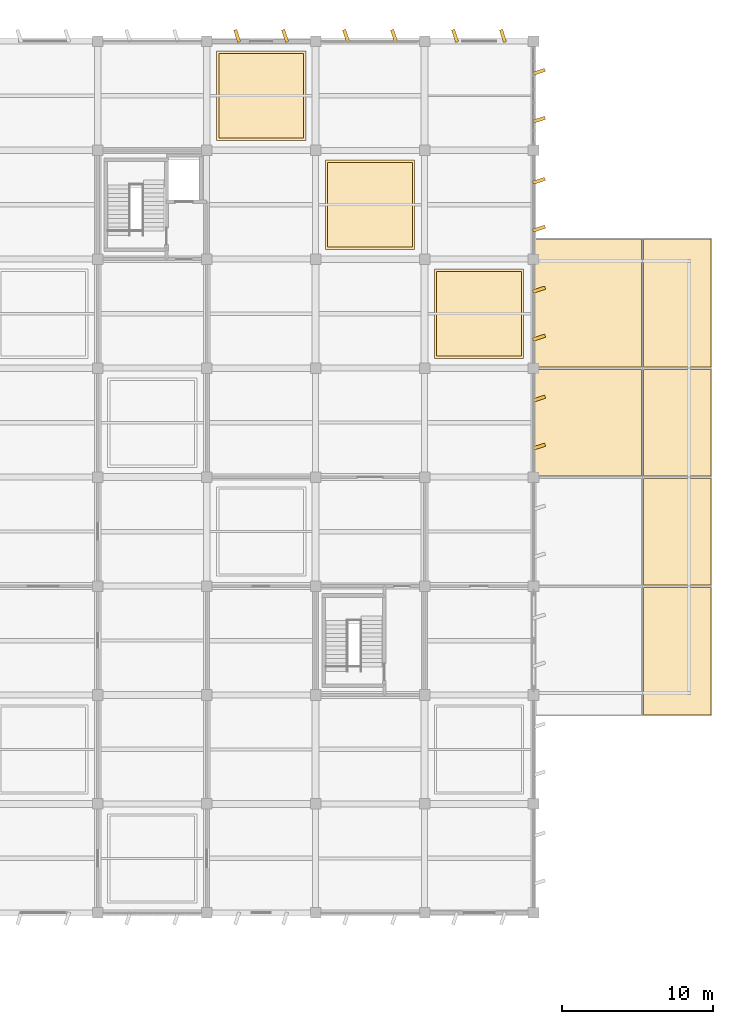
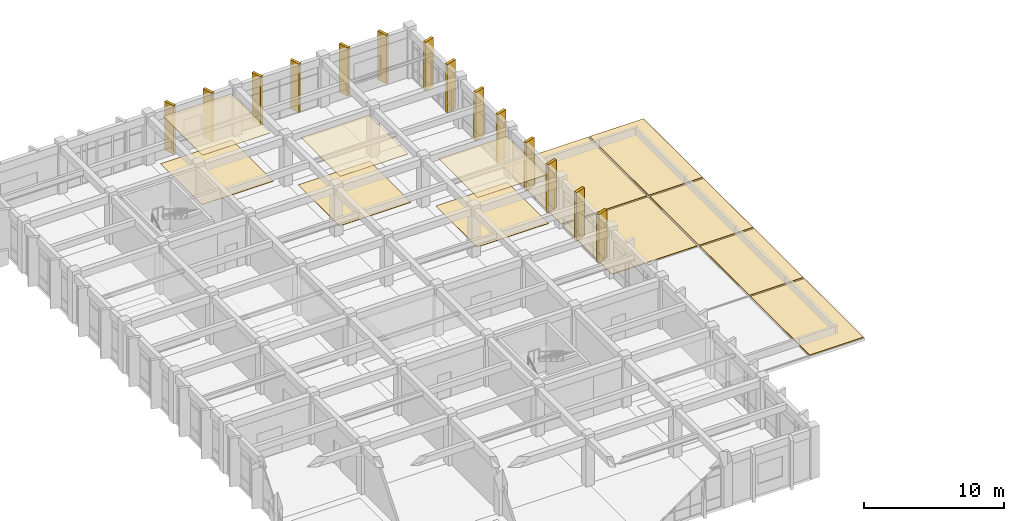
# One storey, part 81 of 81: 26 coverings.
"""IFC4 building model written with IfcOpenShell, lengths in metres."""

from ifc_helpers import new_model, si_unit, direction, frame, origin, origin_2d, place, context, subcontext, project, spatial, polyline, rectangle, outline, extrude, material, layer, layer_set, type_object, element, save


model = new_model("IFC4")

# Units and contexts
model_context = context("Model", 3, precision=1e-05, world=origin(), true_north=direction((0.0, 1.0)))
body_context = subcontext(model_context, "Body", "Model", "MODEL_VIEW")
ifc_project = project(units=[si_unit("LENGTHUNIT", "METRE"), si_unit("AREAUNIT", "SQUARE_METRE"), si_unit("VOLUMEUNIT", "CUBIC_METRE"), si_unit("PLANEANGLEUNIT", "RADIAN"), si_unit("MASSUNIT", "GRAM", prefix="KILO")], contexts=[model_context])

# Site, building, storey
site_placement = place(None, origin())
site = spatial("IfcSite", under=ifc_project, at=site_placement, CompositionType="ELEMENT")
building_placement = place(site_placement, origin())
building = spatial("IfcBuilding", under=site, at=building_placement, Name="Kavelor Marine Aquarium", CompositionType="ELEMENT")
storey_placement = place(building_placement, frame((0.0, 0.0, 4.679931640625)))
storey = spatial("IfcBuildingStorey", under=building, at=storey_placement, Name="L01", CompositionType="ELEMENT", Elevation=4.679931640625)

# Coverings
ifc_material_1 = material(Name="Moisture-Resistant Acoustic Mineral-Fibre Ceiling")
ifc_layer_1 = layer(ifc_material_1, 0.0400390625)
ifc_layer_set_1 = layer_set([ifc_layer_1], Name="COV-CE1")
covering_type_1 = type_object("IfcCoveringType", Name="COV-CE1", PredefinedType="CEILING", material=ifc_layer_set_1)
covering_1_placement = place(storey_placement, frame((0.0, 0.0, 4.16015625)))
element("IfcCovering", 1, at=covering_1_placement, inside=storey, type_object=covering_type_1, Name="ceil:L01:18_14", PredefinedType="CEILING", context=body_context, shape_type="SweptSolid", body=[
    extrude(outline(polyline([(133.60009765625, 104.39990234375), (139.199951171875, 104.39990234375), (139.199951171875, 110.0), (133.60009765625, 110.0), (133.60009765625, 104.39990234375)])), origin(), (0.0, 0.0, 1.0), 0.039794921875),
])
covering_2_placement = place(storey_placement, frame((0.0, 0.0, 4.16015625)))
element("IfcCovering", 2, at=covering_2_placement, inside=storey, type_object=covering_type_1, Name="ceil:L01:19_13", PredefinedType="CEILING", context=body_context, shape_type="SweptSolid", body=[
    extrude(outline(polyline([(140.800048828125, 97.199951171875), (146.39990234375, 97.199951171875), (146.39990234375, 102.800048828125), (140.800048828125, 102.800048828125), (140.800048828125, 97.199951171875)])), origin(), (0.0, 0.0, 1.0), 0.039794921875),
])
covering_3_placement = place(storey_placement, frame((0.0, 0.0, 4.16015625)))
element("IfcCovering", 3, at=covering_3_placement, inside=storey, type_object=covering_type_1, Name="ceil:L01:20_12", PredefinedType="CEILING", context=body_context, shape_type="SweptSolid", body=[
    extrude(outline(polyline([(148.0, 90.0), (153.60009765625, 90.0), (153.60009765625, 95.60009765625), (148.0, 95.60009765625), (148.0, 90.0)])), origin(), (0.0, 0.0, 1.0), 0.039794921875),
])
ifc_material_2 = material(Name="Precast Concrete C45/55 Coastal Brise-Soleil Fin", Category="concrete")
ifc_layer_2 = layer(ifc_material_2, 0.219970703125)
ifc_layer_set_2 = layer_set([ifc_layer_2], Name="COV-CL1")
covering_type_2 = type_object("IfcCoveringType", Name="COV-CL1", PredefinedType="CLADDING", material=ifc_layer_set_2)
for number, where, z_axis, x_axis, name in (
    (4, (154.760009765625, 84.01611328125, 0.0), (0.0, 0.0, 1.0), (0.951056516295, 0.309016994375, 0.0), "fin:y:L01:21_11:0"),
    (5, (154.760009765625, 87.18408203125, 0.0), (0.0, 0.0, 1.0), (0.951056516295, 0.309016994375, 0.0), "fin:y:L01:21_11:1"),
    (6, (154.760009765625, 91.216064453125, 0.0), (0.0, 0.0, 1.0), (0.951056516295, 0.309016994375, 0.0), "fin:y:L01:21_12:0"),
    (7, (154.760009765625, 94.384033203125, 0.0), (0.0, 0.0, 1.0), (0.951056516295, 0.309016994375, 0.0), "fin:y:L01:21_12:1"),
    (8, (154.760009765625, 98.416015625, 0.0), (0.0, 0.0, 1.0), (0.951056516295, 0.309016994375, 0.0), "fin:y:L01:21_13:0"),
    (9, (154.760009765625, 101.583984375, 0.0), (0.0, 0.0, 1.0), (0.951056516295, 0.309016994375, 0.0), "fin:y:L01:21_13:1"),
    (10, (154.760009765625, 105.615966796875, 0.0), (0.0, 0.0, 1.0), (0.951056516295, 0.309016994375, 0.0), "fin:y:L01:21_14:0"),
    (11, (154.760009765625, 108.783935546875, 0.0), (0.0, 0.0, 1.0), (0.951056516295, 0.309016994375, 0.0), "fin:y:L01:21_14:1"),
):
    element("IfcCovering", number, at=place(storey_placement, frame(where, z_axis=z_axis, x_axis=x_axis)), inside=storey, type_object=covering_type_2, Name=name, PredefinedType="CLADDING", context=body_context, shape_type="SweptSolid", body=[
        extrude(rectangle(XDim=0.85009765625, YDim=0.219970703125, at=origin_2d()), origin(), (0.0, 0.0, 1.0), 4.239990234375),
    ])
for number, where, z_axis, x_axis, name in (
    (12, (134.81591796875, 111.159912109375, 0.0), (0.0, 0.0, 1.0), (0.951056516295, 0.309016994375, 0.0), "fin:x:L01:18_15:0"),
    (13, (137.98388671875, 111.159912109375, 0.0), (0.0, 0.0, 1.0), (0.951056516295, 0.309016994375, 0.0), "fin:x:L01:18_15:1"),
    (14, (142.01611328125, 111.159912109375, 0.0), (0.0, 0.0, 1.0), (0.951056516295, 0.309016994375, 0.0), "fin:x:L01:19_15:0"),
    (15, (145.18408203125, 111.159912109375, 0.0), (0.0, 0.0, 1.0), (0.951056516295, 0.309016994375, 0.0), "fin:x:L01:19_15:1"),
    (16, (149.216064453125, 111.159912109375, 0.0), (0.0, 0.0, 1.0), (0.951056516295, 0.309016994375, 0.0), "fin:x:L01:20_15:0"),
    (17, (152.384033203125, 111.159912109375, 0.0), (0.0, 0.0, 1.0), (0.951056516295, 0.309016994375, 0.0), "fin:x:L01:20_15:1"),
):
    element("IfcCovering", number, at=place(storey_placement, frame(where, z_axis=z_axis, x_axis=x_axis)), inside=storey, type_object=covering_type_2, Name=name, PredefinedType="CLADDING", context=body_context, shape_type="SweptSolid", body=[
        extrude(rectangle(XDim=0.219970703125, YDim=0.85009765625, at=origin_2d()), origin(), (0.0, 0.0, 1.0), 4.239990234375),
    ])
ifc_material_3 = material(Name="Polished Coastal Terrazzo Flooring")
ifc_layer_3 = layer(ifc_material_3, 0.030029296875)
ifc_layer_set_3 = layer_set([ifc_layer_3], Name="COV-FL1")
covering_type_3 = type_object("IfcCoveringType", Name="COV-FL1", PredefinedType="FLOORING", material=ifc_layer_set_3)
covering_4_placement = place(storey_placement, origin())
element("IfcCovering", 18, at=covering_4_placement, inside=storey, type_object=covering_type_3, Name="flr:L01:18_14", PredefinedType="FLOORING", context=body_context, shape_type="SweptSolid", body=[
    extrude(outline(polyline([(133.449951171875, 104.25), (139.35009765625, 104.25), (139.35009765625, 110.14990234375), (133.449951171875, 110.14990234375), (133.449951171875, 104.25)])), origin(), (0.0, 0.0, 1.0), 0.030029296875),
])
covering_5_placement = place(storey_placement, origin())
element("IfcCovering", 19, at=covering_5_placement, inside=storey, type_object=covering_type_3, Name="flr:L01:19_13", PredefinedType="FLOORING", context=body_context, shape_type="SweptSolid", body=[
    extrude(outline(polyline([(140.64990234375, 97.050048828125), (146.550048828125, 97.050048828125), (146.550048828125, 102.949951171875), (140.64990234375, 102.949951171875), (140.64990234375, 97.050048828125)])), origin(), (0.0, 0.0, 1.0), 0.030029296875),
])
covering_6_placement = place(storey_placement, origin())
element("IfcCovering", 20, at=covering_6_placement, inside=storey, type_object=covering_type_3, Name="flr:L01:20_12", PredefinedType="FLOORING", context=body_context, shape_type="SweptSolid", body=[
    extrude(outline(polyline([(147.85009765625, 89.85009765625), (153.75, 89.85009765625), (153.75, 95.75), (147.85009765625, 95.75), (147.85009765625, 89.85009765625)])), origin(), (0.0, 0.0, 1.0), 0.030029296875),
])
ifc_material_4 = material(Name="TPO Reflective Waterproof Roofing Membrane")
ifc_layer_4 = layer(ifc_material_4, 0.06005859375)
ifc_layer_set_4 = layer_set([ifc_layer_4], Name="COV-RF1")
covering_type_4 = type_object("IfcCoveringType", Name="COV-RF1", PredefinedType="ROOFING", material=ifc_layer_set_4)
covering_7_placement = place(storey_placement, origin())
element("IfcCovering", 21, at=covering_7_placement, inside=storey, type_object=covering_type_4, Name="rcov:L01:21_11", PredefinedType="ROOFING", context=body_context, shape_type="SweptSolid", body=[
    extrude(outline(polyline([(154.47998046875, 82.080078125), (161.52001953125, 82.080078125), (161.52001953125, 89.1201171875), (154.47998046875, 89.1201171875), (154.47998046875, 82.080078125)])), origin(), (0.0, 0.0, 1.0), 0.06005859375),
])
covering_8_placement = place(storey_placement, origin())
element("IfcCovering", 22, at=covering_8_placement, inside=storey, type_object=covering_type_4, Name="rcov:L01:21_12", PredefinedType="ROOFING", context=body_context, shape_type="SweptSolid", body=[
    extrude(outline(polyline([(154.47998046875, 89.280029296875), (161.52001953125, 89.280029296875), (161.52001953125, 97.719970703125), (154.47998046875, 97.719970703125), (154.47998046875, 89.280029296875)])), origin(), (0.0, 0.0, 1.0), 0.06005859375),
])
covering_9_placement = place(storey_placement, origin())
element("IfcCovering", 23, at=covering_9_placement, inside=storey, type_object=covering_type_4, Name="rcov:L01:22_09", PredefinedType="ROOFING", context=body_context, shape_type="SweptSolid", body=[
    extrude(outline(polyline([(161.679931640625, 66.280029296875), (166.1201171875, 66.280029296875), (166.1201171875, 74.719970703125), (161.679931640625, 74.719970703125), (161.679931640625, 66.280029296875)])), origin(), (0.0, 0.0, 1.0), 0.06005859375),
])
covering_10_placement = place(storey_placement, origin())
element("IfcCovering", 24, at=covering_10_placement, inside=storey, type_object=covering_type_4, Name="rcov:L01:22_10", PredefinedType="ROOFING", context=body_context, shape_type="SweptSolid", body=[
    extrude(outline(polyline([(161.679931640625, 74.8798828125), (166.1201171875, 74.8798828125), (166.1201171875, 81.919921875), (161.679931640625, 81.919921875), (161.679931640625, 74.8798828125)])), origin(), (0.0, 0.0, 1.0), 0.06005859375),
])
covering_11_placement = place(storey_placement, origin())
element("IfcCovering", 25, at=covering_11_placement, inside=storey, type_object=covering_type_4, Name="rcov:L01:22_11", PredefinedType="ROOFING", context=body_context, shape_type="SweptSolid", body=[
    extrude(outline(polyline([(161.679931640625, 82.080078125), (166.1201171875, 82.080078125), (166.1201171875, 89.1201171875), (161.679931640625, 89.1201171875), (161.679931640625, 82.080078125)])), origin(), (0.0, 0.0, 1.0), 0.06005859375),
])
covering_12_placement = place(storey_placement, origin())
element("IfcCovering", 26, at=covering_12_placement, inside=storey, type_object=covering_type_4, Name="rcov:L01:22_12", PredefinedType="ROOFING", context=body_context, shape_type="SweptSolid", body=[
    extrude(outline(polyline([(161.679931640625, 89.280029296875), (166.1201171875, 89.280029296875), (166.1201171875, 97.719970703125), (161.679931640625, 97.719970703125), (161.679931640625, 89.280029296875)])), origin(), (0.0, 0.0, 1.0), 0.06005859375),
])

save(model, "model.ifc")
